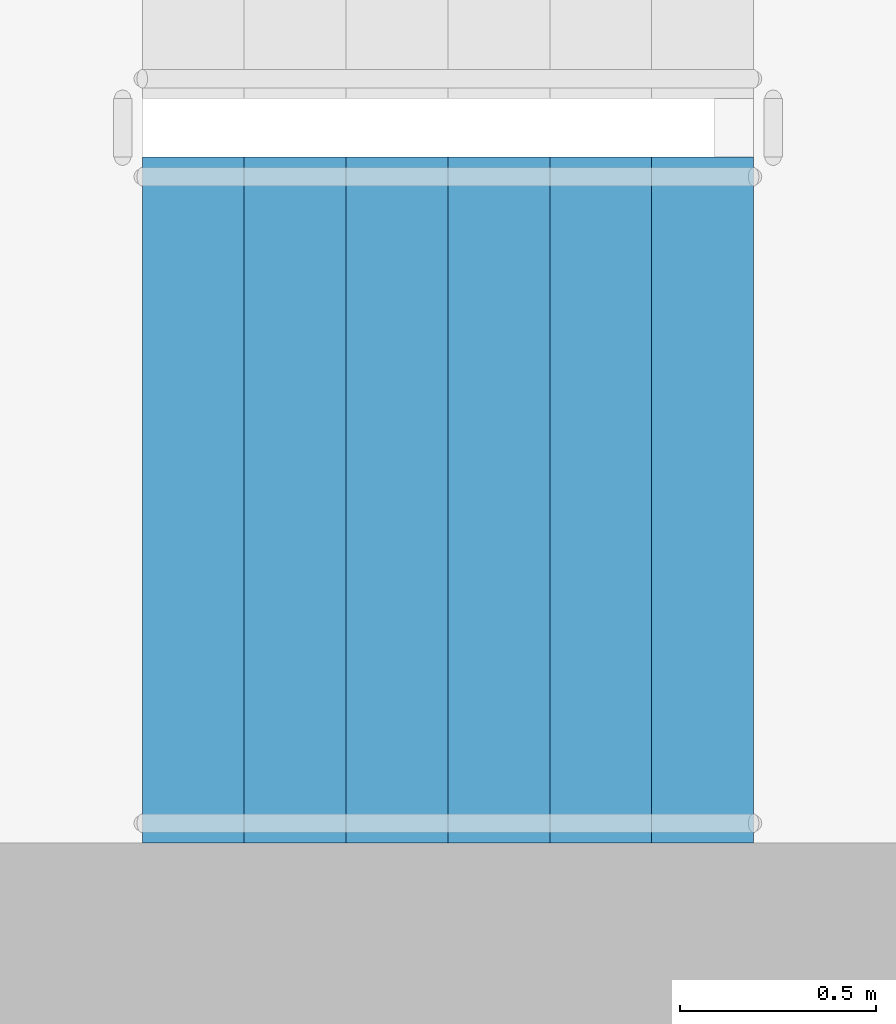
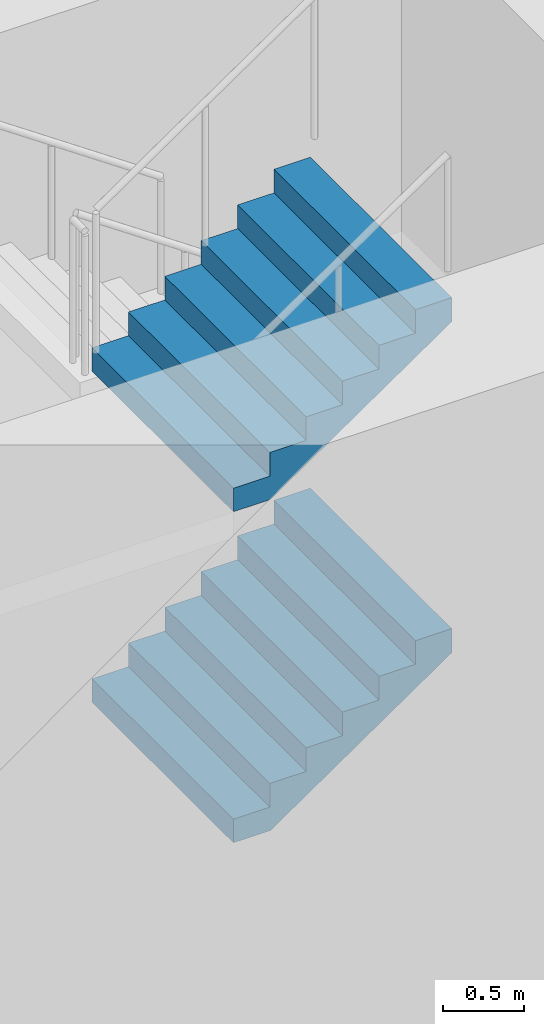
# One storey, part 30 of 59: 2 stair flights, 1 element without a shape of its own.
"""IFC4 building model written with IfcOpenShell, lengths in metres."""

from ifc_helpers import new_model, si_unit, direction, frame, origin, place, context, subcontext, project, spatial, faceted_brep, material, type_object, element, aggregate, save


model = new_model("IFC4")

# Units and contexts
model_context = context("Model", 3, precision=1e-05, world=origin(), true_north=direction((0.0, 1.0)))
body_context = subcontext(model_context, "Body", "Model", "MODEL_VIEW")
ifc_project = project(units=[si_unit("LENGTHUNIT", "METRE"), si_unit("AREAUNIT", "SQUARE_METRE"), si_unit("VOLUMEUNIT", "CUBIC_METRE"), si_unit("PLANEANGLEUNIT", "RADIAN"), si_unit("MASSUNIT", "GRAM", prefix="KILO")], contexts=[model_context])

# Site, building, storey
site_placement = place(None, origin())
site = spatial("IfcSite", under=ifc_project, at=site_placement, CompositionType="ELEMENT")
building_placement = place(site_placement, origin())
building = spatial("IfcBuilding", under=site, at=building_placement, Name="Ipe Terrace Towers", CompositionType="ELEMENT")
storey_placement = place(building_placement, frame((0.0, 0.0, 6.0)))
storey = spatial("IfcBuildingStorey", under=building, at=storey_placement, Name="L01", CompositionType="ELEMENT", Elevation=6.0)

# Stair, stair flights
ifc_material_1 = material(Name="Concrete C30/37", Category="concrete")
stair_type = type_object("IfcStairType", Name="Protected exit stair", PredefinedType="HALF_TURN_STAIR", material=ifc_material_1)
stair_placement = place(storey_placement, origin())
stair = element("IfcStair", 1, at=stair_placement, inside=storey, type_object=stair_type, Name="L01 Exit stair T1-C2", PredefinedType="HALF_TURN_STAIR")
ifc_material_2 = material(Name="Concrete C30/37", Category="concrete")
stair_flight_type = type_object("IfcStairFlightType", Name="Exit stair flight 1750", PredefinedType="STRAIGHT", material=ifc_material_2)
stair_flight_1_placement = place(storey_placement, frame((-47.260009765625, -4.675048828125, 1.25), z_axis=(0.0, 0.0, 1.0), x_axis=(1.0, 0.0, 0.0)))
stair_flight_1 = element("IfcStairFlight", 2, at=stair_flight_1_placement, type_object=stair_flight_type, Name="T1-ST2 flight 2", NumberOfRisers=7, NumberOfTreads=6, PredefinedType="STRAIGHT", RiserHeight=0.178571429, TreadLength=0.26, context=body_context, shape_type="Brep", body=[
    faceted_brep([(0.264892578125, -0.875, 0.0), (1.56005859375, -0.875, 0.8896484375), (1.56005859375, -0.875, 1.071533203125), (1.300048828125, -0.875, 1.071533203125), (1.300048828125, -0.875, 0.892822265625), (1.0400390625, -0.875, 0.892822265625), (1.0400390625, -0.875, 0.71435546875), (0.780029296875, -0.875, 0.71435546875), (0.780029296875, -0.875, 0.53564453125), (0.52001953125, -0.875, 0.53564453125), (0.52001953125, -0.875, 0.357177734375), (0.260009765625, -0.875, 0.357177734375), (0.260009765625, -0.875, 0.178466796875), (0.0, -0.875, 0.178466796875), (0.0, -0.875, 0.0), (0.0, 0.875, 0.0), (0.0, 0.875, 0.178466796875), (0.260009765625, 0.875, 0.178466796875), (0.260009765625, 0.875, 0.357177734375), (0.52001953125, 0.875, 0.357177734375), (0.52001953125, 0.875, 0.53564453125), (0.780029296875, 0.875, 0.53564453125), (0.780029296875, 0.875, 0.71435546875), (1.0400390625, 0.875, 0.71435546875), (1.0400390625, 0.875, 0.892822265625), (1.300048828125, 0.875, 0.892822265625), (1.300048828125, 0.875, 1.071533203125), (1.56005859375, 0.875, 1.071533203125), (1.56005859375, 0.875, 0.8896484375), (0.264892578125, 0.875, 0.0), (0.0, -0.300048828125, 0.178466796875), (0.0, -0.1201171875, 0.178466796875), (0.0, -0.06005859375, 0.178466796875), (0.0, -0.030029296875, 0.178466796875), (0.0, -0.010009765625, 0.178466796875), (0.0, 0.0, 0.178466796875), (0.0, 0.010009765625, 0.178466796875), (0.0, 0.030029296875, 0.178466796875), (0.0, 0.06005859375, 0.178466796875), (0.0, 0.1201171875, 0.178466796875), (0.0, 0.300048828125, 0.178466796875), (0.0, 0.300048828125, 0.0), (0.0, 0.1201171875, 0.0), (0.0, 0.06005859375, 0.0), (0.0, 0.030029296875, 0.0), (0.0, 0.010009765625, 0.0), (0.0, 0.0, 0.0), (0.0, -0.010009765625, 0.0), (0.0, -0.030029296875, 0.0), (0.0, -0.06005859375, 0.0), (0.0, -0.1201171875, 0.0), (0.0, -0.300048828125, 0.0), (0.260009765625, -0.300048828125, 0.178466796875), (0.260009765625, -0.1201171875, 0.178466796875), (0.260009765625, -0.06005859375, 0.178466796875), (0.260009765625, -0.030029296875, 0.178466796875), (0.260009765625, -0.010009765625, 0.178466796875), (0.260009765625, 0.0, 0.178466796875), (0.260009765625, 0.010009765625, 0.178466796875), (0.260009765625, 0.030029296875, 0.178466796875), (0.260009765625, 0.06005859375, 0.178466796875), (0.260009765625, 0.1201171875, 0.178466796875), (0.260009765625, 0.300048828125, 0.178466796875), (0.260009765625, -0.300048828125, 0.357177734375), (0.260009765625, -0.1201171875, 0.357177734375), (0.260009765625, -0.06005859375, 0.357177734375), (0.260009765625, -0.030029296875, 0.357177734375), (0.260009765625, -0.010009765625, 0.357177734375), (0.260009765625, 0.0, 0.357177734375), (0.260009765625, 0.010009765625, 0.357177734375), (0.260009765625, 0.030029296875, 0.357177734375), (0.260009765625, 0.06005859375, 0.357177734375), (0.260009765625, 0.1201171875, 0.357177734375), (0.260009765625, 0.300048828125, 0.357177734375), (0.52001953125, -0.300048828125, 0.357177734375), (0.52001953125, -0.1201171875, 0.357177734375), (0.52001953125, -0.06005859375, 0.357177734375), (0.52001953125, -0.030029296875, 0.357177734375), (0.52001953125, -0.010009765625, 0.357177734375), (0.52001953125, 0.0, 0.357177734375), (0.52001953125, 0.010009765625, 0.357177734375), (0.52001953125, 0.030029296875, 0.357177734375), (0.52001953125, 0.06005859375, 0.357177734375), (0.52001953125, 0.1201171875, 0.357177734375), (0.52001953125, 0.300048828125, 0.357177734375), (0.52001953125, -0.300048828125, 0.53564453125), (0.52001953125, -0.1201171875, 0.53564453125), (0.52001953125, -0.06005859375, 0.53564453125), (0.52001953125, -0.030029296875, 0.53564453125), (0.52001953125, -0.010009765625, 0.53564453125), (0.52001953125, 0.0, 0.53564453125), (0.52001953125, 0.010009765625, 0.53564453125), (0.52001953125, 0.030029296875, 0.53564453125), (0.52001953125, 0.06005859375, 0.53564453125), (0.52001953125, 0.1201171875, 0.53564453125), (0.52001953125, 0.300048828125, 0.53564453125), (0.780029296875, -0.300048828125, 0.53564453125), (0.780029296875, -0.1201171875, 0.53564453125), (0.780029296875, -0.06005859375, 0.53564453125), (0.780029296875, -0.030029296875, 0.53564453125), (0.780029296875, -0.010009765625, 0.53564453125), (0.780029296875, 0.0, 0.53564453125), (0.780029296875, 0.010009765625, 0.53564453125), (0.780029296875, 0.030029296875, 0.53564453125), (0.780029296875, 0.06005859375, 0.53564453125), (0.780029296875, 0.1201171875, 0.53564453125), (0.780029296875, 0.300048828125, 0.53564453125), (0.780029296875, -0.300048828125, 0.71435546875), (0.780029296875, -0.1201171875, 0.71435546875), (0.780029296875, -0.06005859375, 0.71435546875), (0.780029296875, -0.030029296875, 0.71435546875), (0.780029296875, -0.010009765625, 0.71435546875), (0.780029296875, 0.0, 0.71435546875), (0.780029296875, 0.010009765625, 0.71435546875), (0.780029296875, 0.030029296875, 0.71435546875), (0.780029296875, 0.06005859375, 0.71435546875), (0.780029296875, 0.1201171875, 0.71435546875), (0.780029296875, 0.300048828125, 0.71435546875), (1.0400390625, -0.300048828125, 0.71435546875), (1.0400390625, -0.1201171875, 0.71435546875), (1.0400390625, -0.06005859375, 0.71435546875), (1.0400390625, -0.030029296875, 0.71435546875), (1.0400390625, -0.010009765625, 0.71435546875), (1.0400390625, 0.0, 0.71435546875), (1.0400390625, 0.010009765625, 0.71435546875), (1.0400390625, 0.030029296875, 0.71435546875), (1.0400390625, 0.06005859375, 0.71435546875), (1.0400390625, 0.1201171875, 0.71435546875), (1.0400390625, 0.300048828125, 0.71435546875), (1.0400390625, -0.300048828125, 0.892822265625), (1.0400390625, -0.1201171875, 0.892822265625), (1.0400390625, -0.06005859375, 0.892822265625), (1.0400390625, -0.030029296875, 0.892822265625), (1.0400390625, -0.010009765625, 0.892822265625), (1.0400390625, 0.0, 0.892822265625), (1.0400390625, 0.010009765625, 0.892822265625), (1.0400390625, 0.030029296875, 0.892822265625), (1.0400390625, 0.06005859375, 0.892822265625), (1.0400390625, 0.1201171875, 0.892822265625), (1.0400390625, 0.300048828125, 0.892822265625), (1.300048828125, -0.300048828125, 0.892822265625), (1.300048828125, -0.1201171875, 0.892822265625), (1.300048828125, -0.06005859375, 0.892822265625), (1.300048828125, -0.030029296875, 0.892822265625), (1.300048828125, -0.010009765625, 0.892822265625), (1.300048828125, 0.0, 0.892822265625), (1.300048828125, 0.010009765625, 0.892822265625), (1.300048828125, 0.030029296875, 0.892822265625), (1.300048828125, 0.06005859375, 0.892822265625), (1.300048828125, 0.1201171875, 0.892822265625), (1.300048828125, 0.300048828125, 0.892822265625), (1.300048828125, -0.300048828125, 1.071533203125), (1.300048828125, -0.1201171875, 1.071533203125), (1.300048828125, -0.06005859375, 1.071533203125), (1.300048828125, -0.030029296875, 1.071533203125), (1.300048828125, -0.010009765625, 1.071533203125), (1.300048828125, 0.0, 1.071533203125), (1.300048828125, 0.010009765625, 1.071533203125), (1.300048828125, 0.030029296875, 1.071533203125), (1.300048828125, 0.06005859375, 1.071533203125), (1.300048828125, 0.1201171875, 1.071533203125), (1.300048828125, 0.300048828125, 1.071533203125), (1.56005859375, -0.300048828125, 1.071533203125), (1.56005859375, -0.1201171875, 1.071533203125), (1.56005859375, -0.06005859375, 1.071533203125), (1.56005859375, -0.030029296875, 1.071533203125), (1.56005859375, -0.010009765625, 1.071533203125), (1.56005859375, 0.0, 1.071533203125), (1.56005859375, 0.010009765625, 1.071533203125), (1.56005859375, 0.030029296875, 1.071533203125), (1.56005859375, 0.06005859375, 1.071533203125), (1.56005859375, 0.1201171875, 1.071533203125), (1.56005859375, 0.300048828125, 1.071533203125), (1.56005859375, -0.300048828125, 0.8896484375), (1.56005859375, -0.1201171875, 0.8896484375), (1.56005859375, -0.06005859375, 0.8896484375), (1.56005859375, -0.030029296875, 0.8896484375), (1.56005859375, -0.010009765625, 0.8896484375), (1.56005859375, 0.0, 0.8896484375), (1.56005859375, 0.010009765625, 0.8896484375), (1.56005859375, 0.030029296875, 0.8896484375), (1.56005859375, 0.06005859375, 0.8896484375), (1.56005859375, 0.1201171875, 0.8896484375), (1.56005859375, 0.300048828125, 0.8896484375), (0.264892578125, -0.300048828125, 0.0), (0.264892578125, -0.1201171875, 0.0), (0.264892578125, -0.06005859375, 0.0), (0.264892578125, -0.030029296875, 0.0), (0.264892578125, -0.010009765625, 0.0), (0.264892578125, 0.0, 0.0), (0.264892578125, 0.010009765625, 0.0), (0.264892578125, 0.030029296875, 0.0), (0.264892578125, 0.06005859375, 0.0), (0.264892578125, 0.1201171875, 0.0), (0.264892578125, 0.300048828125, 0.0)], [[[0, 1, 2, 3, 4, 5, 6, 7, 8, 9, 10, 11, 12, 13, 14]], [[15, 16, 17, 18, 19, 20, 21, 22, 23, 24, 25, 26, 27, 28, 29]], [[13, 30, 31, 32, 33, 34, 35, 36, 37, 38, 39, 40, 16, 15, 41, 42, 43, 44, 45, 46, 47, 48, 49, 50, 51, 14]], [[12, 52, 53, 54, 55, 56, 57, 58, 59, 60, 61, 62, 17, 16, 40, 39, 38, 37, 36, 35, 34, 33, 32, 31, 30, 13]], [[11, 63, 64, 65, 66, 67, 68, 69, 70, 71, 72, 73, 18, 17, 62, 61, 60, 59, 58, 57, 56, 55, 54, 53, 52, 12]], [[10, 74, 75, 76, 77, 78, 79, 80, 81, 82, 83, 84, 19, 18, 73, 72, 71, 70, 69, 68, 67, 66, 65, 64, 63, 11]], [[9, 85, 86, 87, 88, 89, 90, 91, 92, 93, 94, 95, 20, 19, 84, 83, 82, 81, 80, 79, 78, 77, 76, 75, 74, 10]], [[8, 96, 97, 98, 99, 100, 101, 102, 103, 104, 105, 106, 21, 20, 95, 94, 93, 92, 91, 90, 89, 88, 87, 86, 85, 9]], [[7, 107, 108, 109, 110, 111, 112, 113, 114, 115, 116, 117, 22, 21, 106, 105, 104, 103, 102, 101, 100, 99, 98, 97, 96, 8]], [[6, 118, 119, 120, 121, 122, 123, 124, 125, 126, 127, 128, 23, 22, 117, 116, 115, 114, 113, 112, 111, 110, 109, 108, 107, 7]], [[5, 129, 130, 131, 132, 133, 134, 135, 136, 137, 138, 139, 24, 23, 128, 127, 126, 125, 124, 123, 122, 121, 120, 119, 118, 6]], [[4, 140, 141, 142, 143, 144, 145, 146, 147, 148, 149, 150, 25, 24, 139, 138, 137, 136, 135, 134, 133, 132, 131, 130, 129, 5]], [[3, 151, 152, 153, 154, 155, 156, 157, 158, 159, 160, 161, 26, 25, 150, 149, 148, 147, 146, 145, 144, 143, 142, 141, 140, 4]], [[2, 162, 163, 164, 165, 166, 167, 168, 169, 170, 171, 172, 27, 26, 161, 160, 159, 158, 157, 156, 155, 154, 153, 152, 151, 3]], [[1, 173, 174, 175, 176, 177, 178, 179, 180, 181, 182, 183, 28, 27, 172, 171, 170, 169, 168, 167, 166, 165, 164, 163, 162, 2]], [[0, 184, 185, 186, 187, 188, 189, 190, 191, 192, 193, 194, 29, 28, 183, 182, 181, 180, 179, 178, 177, 176, 175, 174, 173, 1]], [[14, 51, 50, 49, 48, 47, 46, 45, 44, 43, 42, 41, 15, 29, 194, 193, 192, 191, 190, 189, 188, 187, 186, 185, 184, 0]]]),
])
stair_flight_2_placement = place(storey_placement, frame((-47.260009765625, -4.675048828125, 3.75), z_axis=(0.0, 0.0, 1.0), x_axis=(1.0, 0.0, 0.0)))
stair_flight_2 = element("IfcStairFlight", 3, at=stair_flight_2_placement, type_object=stair_flight_type, Name="T1-ST2 flight 4", NumberOfRisers=7, NumberOfTreads=6, PredefinedType="STRAIGHT", RiserHeight=0.178571429, TreadLength=0.26, context=body_context, shape_type="Brep", body=[
    faceted_brep([(0.264892578125, -0.875, 0.0), (1.56005859375, -0.875, 0.8896484375), (1.56005859375, -0.875, 1.071533203125), (1.300048828125, -0.875, 1.071533203125), (1.300048828125, -0.875, 0.892822265625), (1.0400390625, -0.875, 0.892822265625), (1.0400390625, -0.875, 0.71435546875), (0.780029296875, -0.875, 0.71435546875), (0.780029296875, -0.875, 0.53564453125), (0.52001953125, -0.875, 0.53564453125), (0.52001953125, -0.875, 0.357177734375), (0.260009765625, -0.875, 0.357177734375), (0.260009765625, -0.875, 0.178466796875), (0.0, -0.875, 0.178466796875), (0.0, -0.875, 0.0), (0.0, 0.875, 0.0), (0.0, 0.875, 0.178466796875), (0.260009765625, 0.875, 0.178466796875), (0.260009765625, 0.875, 0.357177734375), (0.52001953125, 0.875, 0.357177734375), (0.52001953125, 0.875, 0.53564453125), (0.780029296875, 0.875, 0.53564453125), (0.780029296875, 0.875, 0.71435546875), (1.0400390625, 0.875, 0.71435546875), (1.0400390625, 0.875, 0.892822265625), (1.300048828125, 0.875, 0.892822265625), (1.300048828125, 0.875, 1.071533203125), (1.56005859375, 0.875, 1.071533203125), (1.56005859375, 0.875, 0.8896484375), (0.264892578125, 0.875, 0.0), (0.0, -0.300048828125, 0.178466796875), (0.0, -0.1201171875, 0.178466796875), (0.0, -0.06005859375, 0.178466796875), (0.0, -0.030029296875, 0.178466796875), (0.0, -0.010009765625, 0.178466796875), (0.0, 0.0, 0.178466796875), (0.0, 0.010009765625, 0.178466796875), (0.0, 0.030029296875, 0.178466796875), (0.0, 0.06005859375, 0.178466796875), (0.0, 0.1201171875, 0.178466796875), (0.0, 0.300048828125, 0.178466796875), (0.0, 0.300048828125, 0.0), (0.0, 0.1201171875, 0.0), (0.0, 0.06005859375, 0.0), (0.0, 0.030029296875, 0.0), (0.0, 0.010009765625, 0.0), (0.0, 0.0, 0.0), (0.0, -0.010009765625, 0.0), (0.0, -0.030029296875, 0.0), (0.0, -0.06005859375, 0.0), (0.0, -0.1201171875, 0.0), (0.0, -0.300048828125, 0.0), (0.260009765625, -0.300048828125, 0.178466796875), (0.260009765625, -0.1201171875, 0.178466796875), (0.260009765625, -0.06005859375, 0.178466796875), (0.260009765625, -0.030029296875, 0.178466796875), (0.260009765625, -0.010009765625, 0.178466796875), (0.260009765625, 0.0, 0.178466796875), (0.260009765625, 0.010009765625, 0.178466796875), (0.260009765625, 0.030029296875, 0.178466796875), (0.260009765625, 0.06005859375, 0.178466796875), (0.260009765625, 0.1201171875, 0.178466796875), (0.260009765625, 0.300048828125, 0.178466796875), (0.260009765625, -0.300048828125, 0.357177734375), (0.260009765625, -0.1201171875, 0.357177734375), (0.260009765625, -0.06005859375, 0.357177734375), (0.260009765625, -0.030029296875, 0.357177734375), (0.260009765625, -0.010009765625, 0.357177734375), (0.260009765625, 0.0, 0.357177734375), (0.260009765625, 0.010009765625, 0.357177734375), (0.260009765625, 0.030029296875, 0.357177734375), (0.260009765625, 0.06005859375, 0.357177734375), (0.260009765625, 0.1201171875, 0.357177734375), (0.260009765625, 0.300048828125, 0.357177734375), (0.52001953125, -0.300048828125, 0.357177734375), (0.52001953125, -0.1201171875, 0.357177734375), (0.52001953125, -0.06005859375, 0.357177734375), (0.52001953125, -0.030029296875, 0.357177734375), (0.52001953125, -0.010009765625, 0.357177734375), (0.52001953125, 0.0, 0.357177734375), (0.52001953125, 0.010009765625, 0.357177734375), (0.52001953125, 0.030029296875, 0.357177734375), (0.52001953125, 0.06005859375, 0.357177734375), (0.52001953125, 0.1201171875, 0.357177734375), (0.52001953125, 0.300048828125, 0.357177734375), (0.52001953125, -0.300048828125, 0.53564453125), (0.52001953125, -0.1201171875, 0.53564453125), (0.52001953125, -0.06005859375, 0.53564453125), (0.52001953125, -0.030029296875, 0.53564453125), (0.52001953125, -0.010009765625, 0.53564453125), (0.52001953125, 0.0, 0.53564453125), (0.52001953125, 0.010009765625, 0.53564453125), (0.52001953125, 0.030029296875, 0.53564453125), (0.52001953125, 0.06005859375, 0.53564453125), (0.52001953125, 0.1201171875, 0.53564453125), (0.52001953125, 0.300048828125, 0.53564453125), (0.780029296875, -0.300048828125, 0.53564453125), (0.780029296875, -0.1201171875, 0.53564453125), (0.780029296875, -0.06005859375, 0.53564453125), (0.780029296875, -0.030029296875, 0.53564453125), (0.780029296875, -0.010009765625, 0.53564453125), (0.780029296875, 0.0, 0.53564453125), (0.780029296875, 0.010009765625, 0.53564453125), (0.780029296875, 0.030029296875, 0.53564453125), (0.780029296875, 0.06005859375, 0.53564453125), (0.780029296875, 0.1201171875, 0.53564453125), (0.780029296875, 0.300048828125, 0.53564453125), (0.780029296875, -0.300048828125, 0.71435546875), (0.780029296875, -0.1201171875, 0.71435546875), (0.780029296875, -0.06005859375, 0.71435546875), (0.780029296875, -0.030029296875, 0.71435546875), (0.780029296875, -0.010009765625, 0.71435546875), (0.780029296875, 0.0, 0.71435546875), (0.780029296875, 0.010009765625, 0.71435546875), (0.780029296875, 0.030029296875, 0.71435546875), (0.780029296875, 0.06005859375, 0.71435546875), (0.780029296875, 0.1201171875, 0.71435546875), (0.780029296875, 0.300048828125, 0.71435546875), (1.0400390625, -0.300048828125, 0.71435546875), (1.0400390625, -0.1201171875, 0.71435546875), (1.0400390625, -0.06005859375, 0.71435546875), (1.0400390625, -0.030029296875, 0.71435546875), (1.0400390625, -0.010009765625, 0.71435546875), (1.0400390625, 0.0, 0.71435546875), (1.0400390625, 0.010009765625, 0.71435546875), (1.0400390625, 0.030029296875, 0.71435546875), (1.0400390625, 0.06005859375, 0.71435546875), (1.0400390625, 0.1201171875, 0.71435546875), (1.0400390625, 0.300048828125, 0.71435546875), (1.0400390625, -0.300048828125, 0.892822265625), (1.0400390625, -0.1201171875, 0.892822265625), (1.0400390625, -0.06005859375, 0.892822265625), (1.0400390625, -0.030029296875, 0.892822265625), (1.0400390625, -0.010009765625, 0.892822265625), (1.0400390625, 0.0, 0.892822265625), (1.0400390625, 0.010009765625, 0.892822265625), (1.0400390625, 0.030029296875, 0.892822265625), (1.0400390625, 0.06005859375, 0.892822265625), (1.0400390625, 0.1201171875, 0.892822265625), (1.0400390625, 0.300048828125, 0.892822265625), (1.300048828125, -0.300048828125, 0.892822265625), (1.300048828125, -0.1201171875, 0.892822265625), (1.300048828125, -0.06005859375, 0.892822265625), (1.300048828125, -0.030029296875, 0.892822265625), (1.300048828125, -0.010009765625, 0.892822265625), (1.300048828125, 0.0, 0.892822265625), (1.300048828125, 0.010009765625, 0.892822265625), (1.300048828125, 0.030029296875, 0.892822265625), (1.300048828125, 0.06005859375, 0.892822265625), (1.300048828125, 0.1201171875, 0.892822265625), (1.300048828125, 0.300048828125, 0.892822265625), (1.300048828125, -0.300048828125, 1.071533203125), (1.300048828125, -0.1201171875, 1.071533203125), (1.300048828125, -0.06005859375, 1.071533203125), (1.300048828125, -0.030029296875, 1.071533203125), (1.300048828125, -0.010009765625, 1.071533203125), (1.300048828125, 0.0, 1.071533203125), (1.300048828125, 0.010009765625, 1.071533203125), (1.300048828125, 0.030029296875, 1.071533203125), (1.300048828125, 0.06005859375, 1.071533203125), (1.300048828125, 0.1201171875, 1.071533203125), (1.300048828125, 0.300048828125, 1.071533203125), (1.56005859375, -0.300048828125, 1.071533203125), (1.56005859375, -0.1201171875, 1.071533203125), (1.56005859375, -0.06005859375, 1.071533203125), (1.56005859375, -0.030029296875, 1.071533203125), (1.56005859375, -0.010009765625, 1.071533203125), (1.56005859375, 0.0, 1.071533203125), (1.56005859375, 0.010009765625, 1.071533203125), (1.56005859375, 0.030029296875, 1.071533203125), (1.56005859375, 0.06005859375, 1.071533203125), (1.56005859375, 0.1201171875, 1.071533203125), (1.56005859375, 0.300048828125, 1.071533203125), (1.56005859375, -0.300048828125, 0.8896484375), (1.56005859375, -0.1201171875, 0.8896484375), (1.56005859375, -0.06005859375, 0.8896484375), (1.56005859375, -0.030029296875, 0.8896484375), (1.56005859375, -0.010009765625, 0.8896484375), (1.56005859375, 0.0, 0.8896484375), (1.56005859375, 0.010009765625, 0.8896484375), (1.56005859375, 0.030029296875, 0.8896484375), (1.56005859375, 0.06005859375, 0.8896484375), (1.56005859375, 0.1201171875, 0.8896484375), (1.56005859375, 0.300048828125, 0.8896484375), (0.264892578125, -0.300048828125, 0.0), (0.264892578125, -0.1201171875, 0.0), (0.264892578125, -0.06005859375, 0.0), (0.264892578125, -0.030029296875, 0.0), (0.264892578125, -0.010009765625, 0.0), (0.264892578125, 0.0, 0.0), (0.264892578125, 0.010009765625, 0.0), (0.264892578125, 0.030029296875, 0.0), (0.264892578125, 0.06005859375, 0.0), (0.264892578125, 0.1201171875, 0.0), (0.264892578125, 0.300048828125, 0.0)], [[[0, 1, 2, 3, 4, 5, 6, 7, 8, 9, 10, 11, 12, 13, 14]], [[15, 16, 17, 18, 19, 20, 21, 22, 23, 24, 25, 26, 27, 28, 29]], [[13, 30, 31, 32, 33, 34, 35, 36, 37, 38, 39, 40, 16, 15, 41, 42, 43, 44, 45, 46, 47, 48, 49, 50, 51, 14]], [[12, 52, 53, 54, 55, 56, 57, 58, 59, 60, 61, 62, 17, 16, 40, 39, 38, 37, 36, 35, 34, 33, 32, 31, 30, 13]], [[11, 63, 64, 65, 66, 67, 68, 69, 70, 71, 72, 73, 18, 17, 62, 61, 60, 59, 58, 57, 56, 55, 54, 53, 52, 12]], [[10, 74, 75, 76, 77, 78, 79, 80, 81, 82, 83, 84, 19, 18, 73, 72, 71, 70, 69, 68, 67, 66, 65, 64, 63, 11]], [[9, 85, 86, 87, 88, 89, 90, 91, 92, 93, 94, 95, 20, 19, 84, 83, 82, 81, 80, 79, 78, 77, 76, 75, 74, 10]], [[8, 96, 97, 98, 99, 100, 101, 102, 103, 104, 105, 106, 21, 20, 95, 94, 93, 92, 91, 90, 89, 88, 87, 86, 85, 9]], [[7, 107, 108, 109, 110, 111, 112, 113, 114, 115, 116, 117, 22, 21, 106, 105, 104, 103, 102, 101, 100, 99, 98, 97, 96, 8]], [[6, 118, 119, 120, 121, 122, 123, 124, 125, 126, 127, 128, 23, 22, 117, 116, 115, 114, 113, 112, 111, 110, 109, 108, 107, 7]], [[5, 129, 130, 131, 132, 133, 134, 135, 136, 137, 138, 139, 24, 23, 128, 127, 126, 125, 124, 123, 122, 121, 120, 119, 118, 6]], [[4, 140, 141, 142, 143, 144, 145, 146, 147, 148, 149, 150, 25, 24, 139, 138, 137, 136, 135, 134, 133, 132, 131, 130, 129, 5]], [[3, 151, 152, 153, 154, 155, 156, 157, 158, 159, 160, 161, 26, 25, 150, 149, 148, 147, 146, 145, 144, 143, 142, 141, 140, 4]], [[2, 162, 163, 164, 165, 166, 167, 168, 169, 170, 171, 172, 27, 26, 161, 160, 159, 158, 157, 156, 155, 154, 153, 152, 151, 3]], [[1, 173, 174, 175, 176, 177, 178, 179, 180, 181, 182, 183, 28, 27, 172, 171, 170, 169, 168, 167, 166, 165, 164, 163, 162, 2]], [[0, 184, 185, 186, 187, 188, 189, 190, 191, 192, 193, 194, 29, 28, 183, 182, 181, 180, 179, 178, 177, 176, 175, 174, 173, 1]], [[14, 51, 50, 49, 48, 47, 46, 45, 44, 43, 42, 41, 15, 29, 194, 193, 192, 191, 190, 189, 188, 187, 186, 185, 184, 0]]]),
])
aggregate(stair, [stair_flight_1, stair_flight_2])

save(model, "model.ifc")
